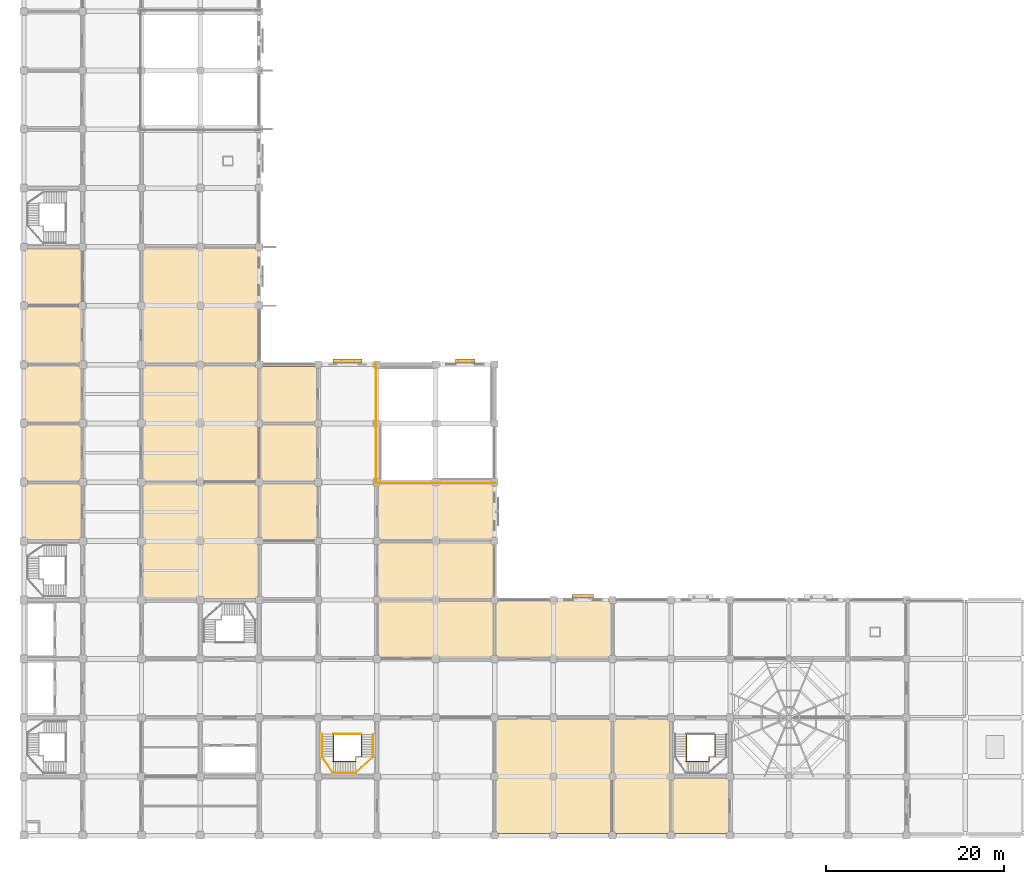
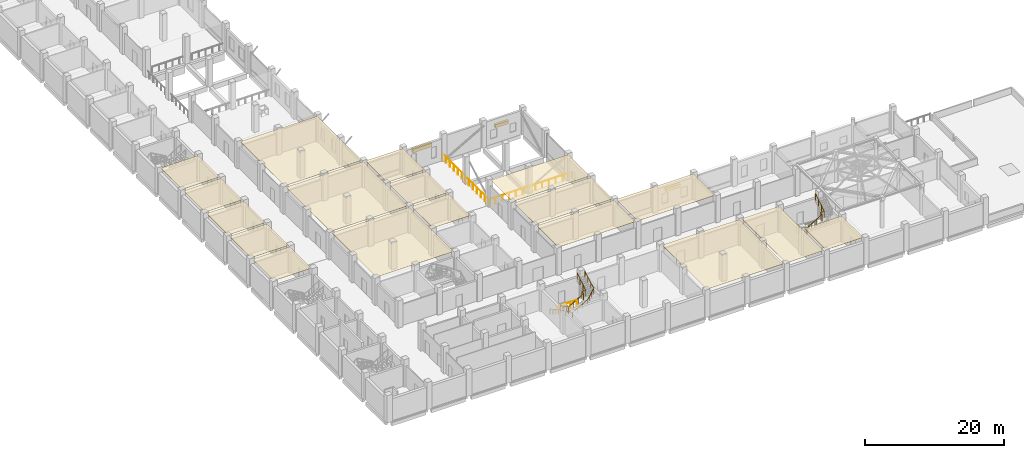
# One storey, part 32 of 34: 18 coverings, 8 railings, 3 shading devices.
"""IFC4 building model written with IfcOpenShell, lengths in metres."""

import ifcopenshell
import ifcopenshell.guid

model = None  # the IFC model being written
_history = None  # IfcOwnerHistory: only IFC2X3 demands one
_inside = {}  # id of a spatial element -> (the spatial element, [elements in it])
_under = {}  # id of a project, library or spatial element -> (it, [spatial elements below it])
_declared = {}  # id of a project -> (the project, [libraries it declares])
_typed = {}  # id of a type object -> (the type object, [elements of that type])
_made_of = {}  # id of a material, layer set ... -> (it, [elements and type objects made of it])


def new_model(schema):
    """Start an empty IFC model of exactly this schema.

    Asked for "IFC4X3", IfcOpenShell would pick the latest addendum, in which some entities
    have other attributes; the version numbers below select the first issue.
    IFC2X3 requires an IfcOwnerHistory on every rooted entity: one is made here for all.
    """
    global model, _history
    if schema == "IFC4X3":
        model = ifcopenshell.file(schema_version=(4, 3, 0, 0))
    else:
        model = ifcopenshell.file(schema=schema)
    _inside.clear()
    _under.clear()
    _declared.clear()
    _typed.clear()
    _made_of.clear()
    _history = None
    if model.schema == "IFC2X3":
        org = make("IfcOrganization", Name="unknown")
        user = make(
            "IfcPersonAndOrganization",
            ThePerson=make("IfcPerson", FamilyName="unknown"),
            TheOrganization=org,
        )
        app = make(
            "IfcApplication",
            ApplicationDeveloper=org,
            Version="unknown",
            ApplicationFullName="unknown",
            ApplicationIdentifier="unknown",
        )
        _history = make(
            "IfcOwnerHistory",
            OwningUser=user,
            OwningApplication=app,
            ChangeAction="ADDED",
            CreationDate=0,
        )
    return model


def make(cls, **values):
    """One entity of the class cls with the attributes given. An attribute that is None is left unset."""
    return model.create_entity(
        cls, **{name: value for name, value in values.items() if value is not None}
    )


def rooted(cls, **values):
    """An entity with a GlobalId (a new one), such as an element, a storey or a relation."""
    return make(cls, GlobalId=ifcopenshell.guid.new(), OwnerHistory=_history, **values)


def si_unit(unit_type, name, prefix=None):
    """IfcSIUnit, for example si_unit("LENGTHUNIT", "METRE", prefix="MILLI")."""
    return make("IfcSIUnit", UnitType=unit_type, Prefix=prefix, Name=name)


def assignment(units):
    """IfcUnitAssignment: the units of a project."""
    return None if units is None else make("IfcUnitAssignment", Units=units)


def point(xyz):
    """IfcCartesianPoint."""
    return None if xyz is None else make("IfcCartesianPoint", Coordinates=xyz)


def direction(xyz):
    """IfcDirection."""
    return None if xyz is None else make("IfcDirection", DirectionRatios=xyz)


def frame(location, z_axis=None, x_axis=None):
    """IfcAxis2Placement3D, a coordinate frame: its origin and axes. An axis left out is left unset."""
    return make(
        "IfcAxis2Placement3D",
        Location=point(location),
        Axis=direction(z_axis),
        RefDirection=direction(x_axis),
    )


def frame_2d(location, x_axis=None):
    """IfcAxis2Placement2D, a coordinate frame in the plane: its origin and x axis."""
    return make(
        "IfcAxis2Placement2D", Location=point(location), RefDirection=direction(x_axis)
    )


def origin():
    """The frame at (0, 0, 0) with its axes left unset."""
    return frame((0.0, 0.0, 0.0))


def origin_2d():
    """The frame at (0, 0) in the plane with its x axis left unset."""
    return frame_2d((0.0, 0.0))


def place(relative_to, where):
    """IfcLocalPlacement: puts the frame where relative to a parent placement (None: the world)."""
    return make(
        "IfcLocalPlacement", PlacementRelTo=relative_to, RelativePlacement=where
    )


def context(
    kind, dimensions, precision=None, world=None, true_north=None, identifier=None
):
    """IfcGeometricRepresentationContext, for example the 3D "Model" context."""
    return make(
        "IfcGeometricRepresentationContext",
        ContextIdentifier=identifier,
        ContextType=kind,
        CoordinateSpaceDimension=dimensions,
        Precision=precision,
        WorldCoordinateSystem=world,
        TrueNorth=true_north,
    )


def subcontext(parent, identifier, kind, view, scale=None):
    """IfcGeometricRepresentationSubContext, for example "Body" below "Model"."""
    return make(
        "IfcGeometricRepresentationSubContext",
        ContextIdentifier=identifier,
        ContextType=kind,
        ParentContext=parent,
        TargetScale=scale,
        TargetView=view,
    )


def project(units=None, contexts=None):
    """IfcProject with its units and contexts."""
    return rooted(
        "IfcProject",
        Name="project",
        RepresentationContexts=contexts,
        UnitsInContext=assignment(units),
    )


def spatial(cls, under=None, at=None, **own):
    """A site, building, storey or space (cls), placed at a placement, below another one or the project."""
    s = rooted(cls, ObjectPlacement=at, **own)
    if under is not None:
        _under.setdefault(under.id(), (under, []))[1].append(s)
    return s


def polyline(points):
    """IfcPolyline through the points."""
    return make("IfcPolyline", Points=[point(p) for p in points])


def profile(cls, at=None, kind="AREA", **sizes):
    """A parametric profile (cls). Its sizes go by their IFC names, for example OverallWidth=200.0."""
    return make(cls, ProfileType=kind, Position=at, **sizes)


def rectangle(**sizes):
    """IfcRectangleProfileDef."""
    return profile("IfcRectangleProfileDef", **sizes)


def circle(**sizes):
    """IfcCircleProfileDef."""
    return profile("IfcCircleProfileDef", **sizes)


def outline(outer, holes=None, kind="AREA"):
    """IfcArbitraryClosedProfileDef: a profile drawn as a closed curve; with holes, ...WithVoids."""
    if holes is None:
        return make("IfcArbitraryClosedProfileDef", ProfileType=kind, OuterCurve=outer)
    return make(
        "IfcArbitraryProfileDefWithVoids",
        ProfileType=kind,
        OuterCurve=outer,
        InnerCurves=holes,
    )


def extrude(swept, where, along, depth):
    """IfcExtrudedAreaSolid: the profile swept, set in the frame where, extruded along a direction by depth."""
    return make(
        "IfcExtrudedAreaSolid",
        SweptArea=swept,
        Position=where,
        ExtrudedDirection=direction(along),
        Depth=depth,
    )


def shape(context_of_items, identifier, shape_type, items):
    """IfcShapeRepresentation: the items that make up one representation, for example the "Body"."""
    return make(
        "IfcShapeRepresentation",
        ContextOfItems=context_of_items,
        RepresentationIdentifier=identifier,
        RepresentationType=shape_type,
        Items=items,
    )


def material(Name=None, Category=None):
    """IfcMaterial."""
    return make("IfcMaterial", Name=Name, Category=Category)


def layer(
    of_material, thickness, ventilated=None, Name=None, Category=None, Priority=None
):
    """IfcMaterialLayer: one layer of a wall or slab, of a material (None: an air gap)."""
    return make(
        "IfcMaterialLayer",
        Material=of_material,
        LayerThickness=thickness,
        IsVentilated=ventilated,
        Name=Name,
        Category=Category,
        Priority=Priority,
    )


def layer_set(layers, Name=None):
    """IfcMaterialLayerSet."""
    return make("IfcMaterialLayerSet", MaterialLayers=layers, LayerSetName=Name)


def made_of(thing, what):
    """Note that an element or type object is made of a material, layer set ...; save() writes the relation."""
    if what is not None:
        _made_of.setdefault(what.id(), (what, []))[1].append(thing)
    return thing


def type_object(cls, material=None, **own):
    """A type object (cls), such as IfcWallType, which elements share."""
    return made_of(rooted(cls, **own), material)


def element(
    cls,
    number,
    at=None,
    inside=None,
    cuts=None,
    type_object=None,
    material=None,
    context=None,
    identifier="Body",
    shape_type=None,
    held_by="IfcProductDefinitionShape",
    body=None,
    shapes=None,
    **own,
):
    """One element of the class cls, such as IfcWall. Its Tag is "e" and its number.

    at: its placement. inside: the storey or other place that contains it. cuts: it is an
    opening in that element (IfcRelVoidsElement). A single representation is given by context,
    identifier, shape_type and body (its items); several are given by shapes. held_by: the class
    of the entity that holds the representations. save() writes the other relations.
    """
    e = rooted(cls, Tag="e%d" % number, ObjectPlacement=at, **own)
    if body is not None:
        shapes = [shape(context, identifier, shape_type, body)]
    if shapes is not None:
        e.Representation = make(held_by, Representations=shapes)
    if inside is not None:
        _inside.setdefault(inside.id(), (inside, []))[1].append(e)
    if cuts is not None:
        rooted(
            "IfcRelVoidsElement", RelatingBuildingElement=cuts, RelatedOpeningElement=e
        )
    if type_object is not None:
        _typed.setdefault(type_object.id(), (type_object, []))[1].append(e)
    return made_of(e, material)


def aggregate(whole, parts):
    """IfcRelAggregates: a whole, such as a stair, and the parts it consists of."""
    return rooted("IfcRelAggregates", RelatingObject=whole, RelatedObjects=parts)


def save(model, path):
    """Write the relations noted so far, then the file.

    IfcRelAggregates (storeys below a building ...), IfcRelContainedInSpatialStructure (elements
    in a storey), IfcRelDefinesByType, IfcRelAssociatesMaterial and IfcRelDeclares: one each for
    every whole, place, type object, material and project.
    """
    for whole, parts in _under.values():
        aggregate(whole, parts)
    for where, things in _inside.values():
        rooted(
            "IfcRelContainedInSpatialStructure",
            RelatedElements=things,
            RelatingStructure=where,
        )
    for kind, things in _typed.values():
        rooted("IfcRelDefinesByType", RelatedObjects=things, RelatingType=kind)
    for what, things in _made_of.values():
        rooted("IfcRelAssociatesMaterial", RelatedObjects=things, RelatingMaterial=what)
    for by, libraries in _declared.values():
        rooted("IfcRelDeclares", RelatingContext=by, RelatedDefinitions=libraries)
    model.write(path)


model = new_model("IFC4")

# Units and contexts
model_context = context("Model", 3, precision=1e-05, world=origin(), true_north=direction((0.0, 1.0)))
body_context = subcontext(model_context, "Body", "Model", "MODEL_VIEW")
ifc_project = project(units=[si_unit("LENGTHUNIT", "METRE"), si_unit("AREAUNIT", "SQUARE_METRE"), si_unit("VOLUMEUNIT", "CUBIC_METRE"), si_unit("PLANEANGLEUNIT", "RADIAN"), si_unit("MASSUNIT", "GRAM", prefix="KILO")], contexts=[model_context])

# Site, building, storey
site_placement = place(None, origin())
site = spatial("IfcSite", under=ifc_project, at=site_placement, CompositionType="ELEMENT")
building_placement = place(site_placement, origin())
building = spatial("IfcBuilding", under=site, at=building_placement, Name="Rusizi Kubbe Research Institute", CompositionType="ELEMENT")
storey_placement = place(building_placement, frame((0.0, 0.0, 5.39990234375)))
storey = spatial("IfcBuildingStorey", under=building, at=storey_placement, Name="L01", CompositionType="ELEMENT", Elevation=5.39990234375)

# Coverings
ifc_material_1 = material(Name="Mineral-Fibre Acoustic Laboratory Ceiling", Category="masonry")
ifc_layer_1 = layer(ifc_material_1, 0.0400390625)
ifc_layer_set_1 = layer_set([ifc_layer_1], Name="Mineral-Fibre Acoustic Laboratory Ceiling")
covering_type_1 = type_object("IfcCoveringType", Name="CL-ACOUSTIC", PredefinedType="CEILING", material=ifc_layer_set_1)
covering_1_placement = place(storey_placement, frame((0.0, 0.0, 4.41015625)))
element("IfcCovering", 1, at=covering_1_placement, inside=storey, type_object=covering_type_1, Name="Service Spine Autoclave Room Ceiling L01-WSP-06", PredefinedType="CEILING", context=body_context, shape_type="SweptSolid", body=[
    extrude(outline(polyline([(0.18994140625, 39.7900390625), (6.409912109375, 39.7900390625), (6.409912109375, 46.010009765625), (0.18994140625, 46.010009765625), (0.18994140625, 39.7900390625)])), origin(), (0.0, 0.0, 1.0), 0.0400390625),
])
covering_2_placement = place(storey_placement, frame((0.0, 0.0, 4.41015625)))
element("IfcCovering", 2, at=covering_2_placement, inside=storey, type_object=covering_type_1, Name="Service Spine Autoclave Room Ceiling L01-WSP-08", PredefinedType="CEILING", context=body_context, shape_type="SweptSolid", body=[
    extrude(outline(polyline([(0.18994140625, 52.989990234375), (6.409912109375, 52.989990234375), (6.409912109375, 59.2099609375), (0.18994140625, 59.2099609375), (0.18994140625, 52.989990234375)])), origin(), (0.0, 0.0, 1.0), 0.0400390625),
])
covering_3_placement = place(storey_placement, frame((0.0, 0.0, 4.41015625)))
element("IfcCovering", 3, at=covering_3_placement, inside=storey, type_object=covering_type_1, Name="Write-up Office Ceiling L01-ELBW-05", PredefinedType="CEILING", context=body_context, shape_type="SweptSolid", body=[
    extrude(outline(polyline([(26.590087890625, 33.18994140625), (32.81005859375, 33.18994140625), (32.81005859375, 39.409912109375), (26.590087890625, 39.409912109375), (26.590087890625, 33.18994140625)])), origin(), (0.0, 0.0, 1.0), 0.0400390625),
])
covering_4_placement = place(storey_placement, frame((0.0, 0.0, 4.41015625)))
element("IfcCovering", 4, at=covering_4_placement, inside=storey, type_object=covering_type_1, Name="Write-up Office Ceiling L01-ELBW-06", PredefinedType="CEILING", context=body_context, shape_type="SweptSolid", body=[
    extrude(outline(polyline([(26.590087890625, 39.7900390625), (32.81005859375, 39.7900390625), (32.81005859375, 46.010009765625), (26.590087890625, 46.010009765625), (26.590087890625, 39.7900390625)])), origin(), (0.0, 0.0, 1.0), 0.0400390625),
])
covering_5_placement = place(storey_placement, frame((0.0, 0.0, 4.41015625)))
element("IfcCovering", 5, at=covering_5_placement, inside=storey, type_object=covering_type_1, Name="Write-up Office Ceiling L01-ELBW-07", PredefinedType="CEILING", context=body_context, shape_type="SweptSolid", body=[
    extrude(outline(polyline([(26.590087890625, 46.389892578125), (32.81005859375, 46.389892578125), (32.81005859375, 52.610107421875), (26.590087890625, 52.610107421875), (26.590087890625, 46.389892578125)])), origin(), (0.0, 0.0, 1.0), 0.0400390625),
])
covering_6_placement = place(storey_placement, frame((0.0, 0.0, 4.41015625)))
element("IfcCovering", 6, at=covering_6_placement, inside=storey, type_object=covering_type_1, Name="Write-up Office Ceiling L01-ELBE-03", PredefinedType="CEILING", context=body_context, shape_type="SweptSolid", body=[
    extrude(outline(polyline([(39.7900390625, 19.989990234375), (52.610107421875, 19.989990234375), (52.610107421875, 26.2099609375), (39.7900390625, 26.2099609375), (39.7900390625, 19.989990234375)])), origin(), (0.0, 0.0, 1.0), 0.0400390625),
])
covering_7_placement = place(storey_placement, frame((0.0, 0.0, 4.41015625)))
element("IfcCovering", 7, at=covering_7_placement, inside=storey, type_object=covering_type_1, Name="Write-up Office Ceiling L01-ELBE-04", PredefinedType="CEILING", context=body_context, shape_type="SweptSolid", body=[
    extrude(outline(polyline([(39.7900390625, 26.590087890625), (52.610107421875, 26.590087890625), (52.610107421875, 32.81005859375), (39.7900390625, 32.81005859375), (39.7900390625, 26.590087890625)])), origin(), (0.0, 0.0, 1.0), 0.0400390625),
])
covering_8_placement = place(storey_placement, frame((0.0, 0.0, 4.41015625)))
element("IfcCovering", 8, at=covering_8_placement, inside=storey, type_object=covering_type_1, Name="Write-up Office Ceiling L01-ELBE-05", PredefinedType="CEILING", context=body_context, shape_type="SweptSolid", body=[
    extrude(outline(polyline([(39.7900390625, 33.18994140625), (52.610107421875, 33.18994140625), (52.610107421875, 39.409912109375), (39.7900390625, 39.409912109375), (39.7900390625, 33.18994140625)])), origin(), (0.0, 0.0, 1.0), 0.0400390625),
])
covering_9_placement = place(storey_placement, frame((0.0, 0.0, 4.41015625)))
element("IfcCovering", 9, at=covering_9_placement, inside=storey, type_object=covering_type_1, Name="Seminar Room Ceiling L01-NW-02", PredefinedType="CEILING", context=body_context, shape_type="SweptSolid", body=[
    extrude(outline(polyline([(13.389892578125, 26.590087890625), (26.2099609375, 26.590087890625), (26.2099609375, 39.409912109375), (13.389892578125, 39.409912109375), (13.389892578125, 26.590087890625)])), origin(), (0.0, 0.0, 1.0), 0.0400390625),
])
covering_10_placement = place(storey_placement, frame((0.0, 0.0, 4.41015625)))
element("IfcCovering", 10, at=covering_10_placement, inside=storey, type_object=covering_type_1, Name="Computational Dry Laboratory Ceiling L01-NW-03", PredefinedType="CEILING", context=body_context, shape_type="SweptSolid", body=[
    extrude(outline(polyline([(13.389892578125, 39.7900390625), (26.2099609375, 39.7900390625), (26.2099609375, 52.610107421875), (13.389892578125, 52.610107421875), (13.389892578125, 39.7900390625)])), origin(), (0.0, 0.0, 1.0), 0.0400390625),
])
covering_11_placement = place(storey_placement, frame((0.0, 0.0, 4.41015625)))
element("IfcCovering", 11, at=covering_11_placement, inside=storey, type_object=covering_type_1, Name="Write-up Office Ceiling L01-NW-04", PredefinedType="CEILING", context=body_context, shape_type="SweptSolid", body=[
    extrude(outline(polyline([(13.389892578125, 52.989990234375), (26.2099609375, 52.989990234375), (26.2099609375, 65.81005859375), (13.389892578125, 65.81005859375), (13.389892578125, 52.989990234375)])), origin(), (0.0, 0.0, 1.0), 0.0400390625),
])
covering_12_placement = place(storey_placement, frame((0.0, 0.0, 4.41015625)))
element("IfcCovering", 12, at=covering_12_placement, inside=storey, type_object=covering_type_1, Name="Catalysis Wet Laboratory Ceiling L01-EWS-04", PredefinedType="CEILING", context=body_context, shape_type="SweptSolid", body=[
    extrude(outline(polyline([(66.18994140625, 0.18994140625), (72.409912109375, 0.18994140625), (72.409912109375, 13.010009765625), (66.18994140625, 13.010009765625), (66.18994140625, 0.18994140625)])), origin(), (0.0, 0.0, 1.0), 0.0400390625),
])
covering_13_placement = place(storey_placement, frame((0.0, 0.0, 4.41015625)))
element("IfcCovering", 13, at=covering_13_placement, inside=storey, type_object=covering_type_1, Name="Laboratory Instrument Support Room Ceiling L01-EWU-11", PredefinedType="CEILING", context=body_context, shape_type="SweptSolid", body=[
    extrude(outline(polyline([(72.7900390625, 0.18994140625), (79.010009765625, 0.18994140625), (79.010009765625, 6.409912109375), (72.7900390625, 6.409912109375), (72.7900390625, 0.18994140625)])), origin(), (0.0, 0.0, 1.0), 0.0400390625),
])
covering_14_placement = place(storey_placement, frame((0.0, 0.0, 4.41015625)))
element("IfcCovering", 14, at=covering_14_placement, inside=storey, type_object=covering_type_1, Name="Molecular Diagnostics Laboratory Ceiling L01-EWN-01", PredefinedType="CEILING", context=body_context, shape_type="SweptSolid", body=[
    extrude(outline(polyline([(52.989990234375, 19.989990234375), (65.81005859375, 19.989990234375), (65.81005859375, 26.2099609375), (52.989990234375, 26.2099609375), (52.989990234375, 19.989990234375)])), origin(), (0.0, 0.0, 1.0), 0.0400390625),
])
ifc_material_2 = material(Name="Flush Cleanroom Aluminium HEPA Ceiling Grid", Category="aluminium")
ifc_layer_2 = layer(ifc_material_2, 0.044921875)
ifc_layer_set_2 = layer_set([ifc_layer_2], Name="Flush Cleanroom Aluminium HEPA Ceiling Grid")
covering_type_2 = type_object("IfcCoveringType", Name="CL-HEPA", PredefinedType="CEILING", material=ifc_layer_set_2)
covering_15_placement = place(storey_placement, frame((0.0, 0.0, 4.405029296875)))
element("IfcCovering", 15, at=covering_15_placement, inside=storey, type_object=covering_type_2, Name="Clean Room Metrology Laboratory Ceiling L01-WSP-05", PredefinedType="CEILING", context=body_context, shape_type="SweptSolid", body=[
    extrude(outline(polyline([(0.18994140625, 33.18994140625), (6.409912109375, 33.18994140625), (6.409912109375, 39.409912109375), (0.18994140625, 39.409912109375), (0.18994140625, 33.18994140625)])), origin(), (0.0, 0.0, 1.0), 0.045166015625),
])
covering_16_placement = place(storey_placement, frame((0.0, 0.0, 4.405029296875)))
element("IfcCovering", 16, at=covering_16_placement, inside=storey, type_object=covering_type_2, Name="Clean Room Metrology Laboratory Ceiling L01-WSP-07", PredefinedType="CEILING", context=body_context, shape_type="SweptSolid", body=[
    extrude(outline(polyline([(0.18994140625, 46.389892578125), (6.409912109375, 46.389892578125), (6.409912109375, 52.610107421875), (0.18994140625, 52.610107421875), (0.18994140625, 46.389892578125)])), origin(), (0.0, 0.0, 1.0), 0.045166015625),
])
covering_17_placement = place(storey_placement, frame((0.0, 0.0, 4.405029296875)))
element("IfcCovering", 17, at=covering_17_placement, inside=storey, type_object=covering_type_2, Name="Clean Room Metrology Laboratory Ceiling L01-WSP-09", PredefinedType="CEILING", context=body_context, shape_type="SweptSolid", body=[
    extrude(outline(polyline([(0.18994140625, 59.590087890625), (6.409912109375, 59.590087890625), (6.409912109375, 65.81005859375), (0.18994140625, 65.81005859375), (0.18994140625, 59.590087890625)])), origin(), (0.0, 0.0, 1.0), 0.045166015625),
])
covering_18_placement = place(storey_placement, frame((0.0, 0.0, 4.405029296875)))
element("IfcCovering", 18, at=covering_18_placement, inside=storey, type_object=covering_type_2, Name="Clean Room Process Suite Ceiling L01-EWS-03", PredefinedType="CEILING", context=body_context, shape_type="SweptSolid", body=[
    extrude(outline(polyline([(52.989990234375, 0.18994140625), (65.81005859375, 0.18994140625), (65.81005859375, 13.010009765625), (52.989990234375, 13.010009765625), (52.989990234375, 0.18994140625)])), origin(), (0.0, 0.0, 1.0), 0.045166015625),
])

# Railings
ifc_material_3 = material(Name="Painted Steel Stair Guard", Category="steel")
railing_type_1 = type_object("IfcRailingType", Name="GR-STAIR", PredefinedType="GUARDRAIL", material=ifc_material_3)
railing_1_placement = place(storey_placement, frame((34.7099609375, 11.3798828125, 0.080078125)))
element("IfcRailing", 19, at=railing_1_placement, inside=storey, type_object=railing_type_1, Name="Stair Inner Well Guard ST4 L01", PredefinedType="GUARDRAIL", context=body_context, shape_type="SweptSolid", body=[
    extrude(circle(Radius=0.02392578125, at=origin_2d()), frame((0.0, 0.0, 1.09619140625), z_axis=(0.0, -0.859835618312, 0.510570964198), x_axis=(1.0, 0.0, 0.0)), (0.0, 0.0, 1.0), 2.97705078125),
    extrude(circle(Radius=0.02392578125, at=origin_2d()), frame((0.0, -2.559814453125, 2.6162109375), z_axis=(0.0, -1.0, 0.0), x_axis=(1.0, 0.0, 0.0)), (0.0, 0.0, 1.0), 0.510009765625),
    extrude(circle(Radius=0.02392578125, at=origin_2d()), frame((0.0, -3.06982421875, 2.6162109375), z_axis=(-0.4472135955, 0.0, 0.894427191), x_axis=(0.0, -1.0, 0.0)), (0.0, 0.0, 1.0), 0.089599609375),
    extrude(circle(Radius=0.02392578125, at=origin_2d()), frame((-0.0400390625, -3.06982421875, 2.6962890625), z_axis=(0.856290143798, 0.0, 0.516495101268), x_axis=(0.0, 1.0, 0.0)), (0.0, 0.0, 1.0), 2.94287109375),
    extrude(circle(Radius=0.02392578125, at=origin_2d()), frame((2.47998046875, -3.06982421875, 4.21630859375), z_axis=(1.0, 0.0, 0.0), x_axis=(0.0, 1.0, 0.0)), (0.0, 0.0, 1.0), 0.0400390625),
    extrude(circle(Radius=0.02392578125, at=origin_2d()), frame((2.52001953125, -3.06982421875, 4.21630859375), z_axis=(0.0, 1.0, 0.0), x_axis=(-1.0, 0.0, 0.0)), (0.0, 0.0, 1.0), 0.510009765625),
    extrude(circle(Radius=0.02392578125, at=origin_2d()), frame((2.52001953125, -2.559814453125, 4.21630859375), z_axis=(1.0, 0.0, 0.0), x_axis=(0.0, 1.0, 0.0)), (0.0, 0.0, 1.0), 0.659912109375),
    extrude(circle(Radius=0.02392578125, at=origin_2d()), frame((3.179931640625, -2.559814453125, 4.21630859375), z_axis=(0.0, 0.840317313588, 0.542094837167), x_axis=(-1.0, 0.0, 0.0)), (0.0, 0.0, 1.0), 2.951171875),
    extrude(circle(Radius=0.02099609375, at=origin_2d()), origin(), (0.0, 0.0, 1.0), 1.072021484375),
    extrude(circle(Radius=0.02099609375, at=origin_2d()), frame((0.0, -0.853271484375, 0.506591796875)), (0.0, 0.0, 1.0), 1.072021484375),
    extrude(circle(Radius=0.02099609375, at=origin_2d()), frame((0.0, -1.70654296875, 1.013427734375)), (0.0, 0.0, 1.0), 1.072021484375),
    extrude(circle(Radius=0.02099609375, at=origin_2d()), frame((0.0, -2.559814453125, 1.52001953125)), (0.0, 0.0, 1.0), 1.072021484375),
    extrude(circle(Radius=0.02099609375, at=origin_2d()), frame((0.0, -3.06982421875, 1.52001953125)), (0.0, 0.0, 1.0), 1.072021484375),
    extrude(circle(Radius=0.02099609375, at=origin_2d()), frame((-0.0400390625, -3.06982421875, 1.60009765625)), (0.0, 0.0, 1.0), 1.072021484375),
    extrude(circle(Radius=0.02099609375, at=origin_2d()), frame((0.800048828125, -3.06982421875, 2.106689453125)), (0.0, 0.0, 1.0), 1.072021484375),
    extrude(circle(Radius=0.02099609375, at=origin_2d()), frame((1.639892578125, -3.06982421875, 2.613525390625)), (0.0, 0.0, 1.0), 1.072021484375),
    extrude(circle(Radius=0.02099609375, at=origin_2d()), frame((2.47998046875, -3.06982421875, 3.1201171875)), (0.0, 0.0, 1.0), 1.072021484375),
    extrude(circle(Radius=0.02099609375, at=origin_2d()), frame((2.52001953125, -3.06982421875, 3.1201171875)), (0.0, 0.0, 1.0), 1.072021484375),
    extrude(circle(Radius=0.02099609375, at=origin_2d()), frame((2.52001953125, -2.559814453125, 3.1201171875)), (0.0, 0.0, 1.0), 1.072021484375),
    extrude(circle(Radius=0.02099609375, at=origin_2d()), frame((3.179931640625, -2.559814453125, 3.1201171875)), (0.0, 0.0, 1.0), 1.072021484375),
    extrude(circle(Radius=0.02099609375, at=origin_2d()), frame((3.179931640625, -1.733154296875, 3.6533203125)), (0.0, 0.0, 1.0), 1.072021484375),
    extrude(circle(Radius=0.02099609375, at=origin_2d()), frame((3.179931640625, -0.906494140625, 4.186767578125)), (0.0, 0.0, 1.0), 1.072021484375),
    extrude(circle(Radius=0.02099609375, at=origin_2d()), frame((3.179931640625, -0.079833984375, 4.719970703125)), (0.0, 0.0, 1.0), 1.072021484375),
])
railing_2_placement = place(storey_placement, frame((34.7099609375, 11.35009765625, 0.0)))
element("IfcRailing", 20, at=railing_2_placement, inside=storey, type_object=railing_type_1, Name="Stair Floor Edge Guard ST4 L01", PredefinedType="GUARDRAIL", context=body_context, shape_type="SweptSolid", body=[
    extrude(circle(Radius=0.02392578125, at=origin_2d()), frame((0.0, 0.0, 1.09619140625), z_axis=(1.0, 0.0, 0.0), x_axis=(0.0, 1.0, 0.0)), (0.0, 0.0, 1.0), 3.179931640625),
    extrude(circle(Radius=0.02099609375, at=origin_2d()), origin(), (0.0, 0.0, 1.0), 1.072021484375),
    extrude(circle(Radius=0.02099609375, at=origin_2d()), frame((1.06005859375, 0.0, 0.0)), (0.0, 0.0, 1.0), 1.072021484375),
    extrude(circle(Radius=0.02099609375, at=origin_2d()), frame((2.119873046875, 0.0, 0.0)), (0.0, 0.0, 1.0), 1.072021484375),
    extrude(circle(Radius=0.02099609375, at=origin_2d()), frame((3.179931640625, 0.0, 0.0)), (0.0, 0.0, 1.0), 1.072021484375),
])
railing_3_placement = place(storey_placement, frame((74.31005859375, 11.3798828125, 0.080078125)))
element("IfcRailing", 21, at=railing_3_placement, inside=storey, type_object=railing_type_1, Name="Stair Inner Well Guard ST7 L01", PredefinedType="GUARDRAIL", context=body_context, shape_type="SweptSolid", body=[
    extrude(circle(Radius=0.02392578125, at=origin_2d()), frame((0.0, 0.0, 1.09619140625), z_axis=(0.0, -0.859835618312, 0.510570964198), x_axis=(1.0, 0.0, 0.0)), (0.0, 0.0, 1.0), 2.97705078125),
    extrude(circle(Radius=0.02392578125, at=origin_2d()), frame((0.0, -2.559814453125, 2.6162109375), z_axis=(0.0, -1.0, 0.0), x_axis=(1.0, 0.0, 0.0)), (0.0, 0.0, 1.0), 0.510009765625),
    extrude(circle(Radius=0.02392578125, at=origin_2d()), frame((0.0, -3.06982421875, 2.6162109375), z_axis=(-0.4472135955, 0.0, 0.894427191), x_axis=(0.0, -1.0, 0.0)), (0.0, 0.0, 1.0), 0.089599609375),
    extrude(circle(Radius=0.02392578125, at=origin_2d()), frame((-0.0400390625, -3.06982421875, 2.6962890625), z_axis=(0.856290143798, 0.0, 0.516495101268), x_axis=(0.0, 1.0, 0.0)), (0.0, 0.0, 1.0), 2.94287109375),
    extrude(circle(Radius=0.02392578125, at=origin_2d()), frame((2.47998046875, -3.06982421875, 4.21630859375), z_axis=(1.0, 0.0, 0.0), x_axis=(0.0, 1.0, 0.0)), (0.0, 0.0, 1.0), 0.0400390625),
    extrude(circle(Radius=0.02392578125, at=origin_2d()), frame((2.52001953125, -3.06982421875, 4.21630859375), z_axis=(0.0, 1.0, 0.0), x_axis=(-1.0, 0.0, 0.0)), (0.0, 0.0, 1.0), 0.510009765625),
    extrude(circle(Radius=0.02392578125, at=origin_2d()), frame((2.52001953125, -2.559814453125, 4.21630859375), z_axis=(1.0, 0.0, 0.0), x_axis=(0.0, 1.0, 0.0)), (0.0, 0.0, 1.0), 0.659912109375),
    extrude(circle(Radius=0.02392578125, at=origin_2d()), frame((3.179931640625, -2.559814453125, 4.21630859375), z_axis=(0.0, 0.840317313588, 0.542094837167), x_axis=(-1.0, 0.0, 0.0)), (0.0, 0.0, 1.0), 2.951171875),
    extrude(circle(Radius=0.02099609375, at=origin_2d()), origin(), (0.0, 0.0, 1.0), 1.072021484375),
    extrude(circle(Radius=0.02099609375, at=origin_2d()), frame((0.0, -0.853271484375, 0.506591796875)), (0.0, 0.0, 1.0), 1.072021484375),
    extrude(circle(Radius=0.02099609375, at=origin_2d()), frame((0.0, -1.70654296875, 1.013427734375)), (0.0, 0.0, 1.0), 1.072021484375),
    extrude(circle(Radius=0.02099609375, at=origin_2d()), frame((0.0, -2.559814453125, 1.52001953125)), (0.0, 0.0, 1.0), 1.072021484375),
    extrude(circle(Radius=0.02099609375, at=origin_2d()), frame((0.0, -3.06982421875, 1.52001953125)), (0.0, 0.0, 1.0), 1.072021484375),
    extrude(circle(Radius=0.02099609375, at=origin_2d()), frame((-0.0400390625, -3.06982421875, 1.60009765625)), (0.0, 0.0, 1.0), 1.072021484375),
    extrude(circle(Radius=0.02099609375, at=origin_2d()), frame((0.800048828125, -3.06982421875, 2.106689453125)), (0.0, 0.0, 1.0), 1.072021484375),
    extrude(circle(Radius=0.02099609375, at=origin_2d()), frame((1.639892578125, -3.06982421875, 2.613525390625)), (0.0, 0.0, 1.0), 1.072021484375),
    extrude(circle(Radius=0.02099609375, at=origin_2d()), frame((2.47998046875, -3.06982421875, 3.1201171875)), (0.0, 0.0, 1.0), 1.072021484375),
    extrude(circle(Radius=0.02099609375, at=origin_2d()), frame((2.52001953125, -3.06982421875, 3.1201171875)), (0.0, 0.0, 1.0), 1.072021484375),
    extrude(circle(Radius=0.02099609375, at=origin_2d()), frame((2.52001953125, -2.559814453125, 3.1201171875)), (0.0, 0.0, 1.0), 1.072021484375),
    extrude(circle(Radius=0.02099609375, at=origin_2d()), frame((3.179931640625, -2.559814453125, 3.1201171875)), (0.0, 0.0, 1.0), 1.072021484375),
    extrude(circle(Radius=0.02099609375, at=origin_2d()), frame((3.179931640625, -1.733154296875, 3.6533203125)), (0.0, 0.0, 1.0), 1.072021484375),
    extrude(circle(Radius=0.02099609375, at=origin_2d()), frame((3.179931640625, -0.906494140625, 4.186767578125)), (0.0, 0.0, 1.0), 1.072021484375),
    extrude(circle(Radius=0.02099609375, at=origin_2d()), frame((3.179931640625, -0.079833984375, 4.719970703125)), (0.0, 0.0, 1.0), 1.072021484375),
])
ifc_material_4 = material(Name="Tempered Glass and Bronze Atrium Balustrade", Category="steel")
railing_type_2 = type_object("IfcRailingType", Name="GR-VOID", PredefinedType="BALUSTRADE", material=ifc_material_4)
railing_4_placement = place(storey_placement, frame((39.5, 39.5, 0.0)))
element("IfcRailing", 22, at=railing_4_placement, inside=storey, type_object=railing_type_2, Name="Atrium Void Balustrade L01-07", PredefinedType="BALUSTRADE", context=body_context, shape_type="SweptSolid", body=[
    extrude(circle(Radius=0.02392578125, at=origin_2d()), frame((0.0, 0.0, 1.09619140625), z_axis=(1.0, 0.0, 0.0), x_axis=(0.0, 1.0, 0.0)), (0.0, 0.0, 1.0), 6.800048828125),
    extrude(circle(Radius=0.02099609375, at=origin_2d()), origin(), (0.0, 0.0, 1.0), 1.072021484375),
    extrude(circle(Radius=0.02099609375, at=origin_2d()), frame((1.13330078125, 0.0, 0.0)), (0.0, 0.0, 1.0), 1.072021484375),
    extrude(circle(Radius=0.02099609375, at=origin_2d()), frame((2.2666015625, 0.0, 0.0)), (0.0, 0.0, 1.0), 1.072021484375),
    extrude(circle(Radius=0.02099609375, at=origin_2d()), frame((3.39990234375, 0.0, 0.0)), (0.0, 0.0, 1.0), 1.072021484375),
    extrude(circle(Radius=0.02099609375, at=origin_2d()), frame((4.533447265625, 0.0, 0.0)), (0.0, 0.0, 1.0), 1.072021484375),
    extrude(circle(Radius=0.02099609375, at=origin_2d()), frame((5.666748046875, 0.0, 0.0)), (0.0, 0.0, 1.0), 1.072021484375),
    extrude(circle(Radius=0.02099609375, at=origin_2d()), frame((6.800048828125, 0.0, 0.0)), (0.0, 0.0, 1.0), 1.072021484375),
])
railing_5_placement = place(storey_placement, frame((39.5, 39.5, 0.0)))
element("IfcRailing", 23, at=railing_5_placement, inside=storey, type_object=railing_type_2, Name="Atrium Void Balustrade L01-08", PredefinedType="BALUSTRADE", context=body_context, shape_type="SweptSolid", body=[
    extrude(circle(Radius=0.02392578125, at=origin_2d()), frame((0.0, 0.0, 1.09619140625), z_axis=(0.0, 1.0, 0.0), x_axis=(-1.0, 0.0, 0.0)), (0.0, 0.0, 1.0), 6.800048828125),
    extrude(circle(Radius=0.02099609375, at=origin_2d()), origin(), (0.0, 0.0, 1.0), 1.072021484375),
    extrude(circle(Radius=0.02099609375, at=origin_2d()), frame((0.0, 1.13330078125, 0.0)), (0.0, 0.0, 1.0), 1.072021484375),
    extrude(circle(Radius=0.02099609375, at=origin_2d()), frame((0.0, 2.2666015625, 0.0)), (0.0, 0.0, 1.0), 1.072021484375),
    extrude(circle(Radius=0.02099609375, at=origin_2d()), frame((0.0, 3.39990234375, 0.0)), (0.0, 0.0, 1.0), 1.072021484375),
    extrude(circle(Radius=0.02099609375, at=origin_2d()), frame((0.0, 4.533447265625, 0.0)), (0.0, 0.0, 1.0), 1.072021484375),
    extrude(circle(Radius=0.02099609375, at=origin_2d()), frame((0.0, 5.666748046875, 0.0)), (0.0, 0.0, 1.0), 1.072021484375),
    extrude(circle(Radius=0.02099609375, at=origin_2d()), frame((0.0, 6.800048828125, 0.0)), (0.0, 0.0, 1.0), 1.072021484375),
])
railing_6_placement = place(storey_placement, frame((39.5, 46.10009765625, 0.0)))
element("IfcRailing", 24, at=railing_6_placement, inside=storey, type_object=railing_type_2, Name="Atrium Void Balustrade L01-09", PredefinedType="BALUSTRADE", context=body_context, shape_type="SweptSolid", body=[
    extrude(circle(Radius=0.02392578125, at=origin_2d()), frame((0.0, 0.0, 1.09619140625), z_axis=(0.0, 1.0, 0.0), x_axis=(-1.0, 0.0, 0.0)), (0.0, 0.0, 1.0), 6.7998046875),
    extrude(circle(Radius=0.02099609375, at=origin_2d()), origin(), (0.0, 0.0, 1.0), 1.072021484375),
    extrude(circle(Radius=0.02099609375, at=origin_2d()), frame((0.0, 1.13330078125, 0.0)), (0.0, 0.0, 1.0), 1.072021484375),
    extrude(circle(Radius=0.02099609375, at=origin_2d()), frame((0.0, 2.2666015625, 0.0)), (0.0, 0.0, 1.0), 1.072021484375),
    extrude(circle(Radius=0.02099609375, at=origin_2d()), frame((0.0, 3.39990234375, 0.0)), (0.0, 0.0, 1.0), 1.072021484375),
    extrude(circle(Radius=0.02099609375, at=origin_2d()), frame((0.0, 4.533203125, 0.0)), (0.0, 0.0, 1.0), 1.072021484375),
    extrude(circle(Radius=0.02099609375, at=origin_2d()), frame((0.0, 5.66650390625, 0.0)), (0.0, 0.0, 1.0), 1.072021484375),
    extrude(circle(Radius=0.02099609375, at=origin_2d()), frame((0.0, 6.7998046875, 0.0)), (0.0, 0.0, 1.0), 1.072021484375),
])
railing_7_placement = place(storey_placement, frame((46.10009765625, 39.5, 0.0)))
element("IfcRailing", 25, at=railing_7_placement, inside=storey, type_object=railing_type_2, Name="Atrium Void Balustrade L01-10", PredefinedType="BALUSTRADE", context=body_context, shape_type="SweptSolid", body=[
    extrude(circle(Radius=0.02392578125, at=origin_2d()), frame((0.0, 0.0, 1.09619140625), z_axis=(1.0, 0.0, 0.0), x_axis=(0.0, 1.0, 0.0)), (0.0, 0.0, 1.0), 6.7998046875),
    extrude(circle(Radius=0.02099609375, at=origin_2d()), origin(), (0.0, 0.0, 1.0), 1.072021484375),
    extrude(circle(Radius=0.02099609375, at=origin_2d()), frame((1.13330078125, 0.0, 0.0)), (0.0, 0.0, 1.0), 1.072021484375),
    extrude(circle(Radius=0.02099609375, at=origin_2d()), frame((2.2666015625, 0.0, 0.0)), (0.0, 0.0, 1.0), 1.072021484375),
    extrude(circle(Radius=0.02099609375, at=origin_2d()), frame((3.39990234375, 0.0, 0.0)), (0.0, 0.0, 1.0), 1.072021484375),
    extrude(circle(Radius=0.02099609375, at=origin_2d()), frame((4.533203125, 0.0, 0.0)), (0.0, 0.0, 1.0), 1.072021484375),
    extrude(circle(Radius=0.02099609375, at=origin_2d()), frame((5.66650390625, 0.0, 0.0)), (0.0, 0.0, 1.0), 1.072021484375),
    extrude(circle(Radius=0.02099609375, at=origin_2d()), frame((6.7998046875, 0.0, 0.0)), (0.0, 0.0, 1.0), 1.072021484375),
])
ifc_material_5 = material(Name="Brushed Stainless Steel Handrail", Category="steel")
railing_type_3 = type_object("IfcRailingType", Name="HR-STAIR", PredefinedType="HANDRAIL", material=ifc_material_5)
railing_8_placement = place(storey_placement, frame((33.419921875, 11.3798828125, 0.16015625)))
element("IfcRailing", 26, at=railing_8_placement, inside=storey, type_object=railing_type_3, Name="Stair Wall Handrail ST4 L01", PredefinedType="HANDRAIL", context=body_context, shape_type="SweptSolid", body=[
    extrude(circle(Radius=0.02392578125, at=origin_2d()), frame((0.0, 0.0, 0.8759765625), z_axis=(0.0, -0.868232788344, 0.496157057034), x_axis=(1.0, 0.0, 0.0)), (0.0, 0.0, 1.0), 2.902099609375),
    extrude(circle(Radius=0.02392578125, at=origin_2d()), frame((0.0, -2.519775390625, 2.31591796875), z_axis=(0.560476394894, -0.825060661781, 0.07170157005), x_axis=(0.82718974062, 0.561922710889, 0.0)), (0.0, 0.0, 1.0), 2.230224609375),
    extrude(circle(Radius=0.02392578125, at=origin_2d()), frame((1.25, -4.35986328125, 2.4755859375), z_axis=(0.868217259934, 0.0, 0.496184229447), x_axis=(0.0, 1.0, 0.0)), (0.0, 0.0, 1.0), 2.902587890625),
    extrude(circle(Radius=0.02392578125, at=origin_2d()), frame((3.77001953125, -4.35986328125, 3.916015625), z_axis=(0.746623585802, 0.662535688395, 0.059997355993), x_axis=(-0.663731376575, 0.747971028683, 0.0)), (0.0, 0.0, 1.0), 2.665283203125),
    extrude(circle(Radius=0.02392578125, at=origin_2d()), frame((5.760009765625, -2.593994140625, 4.07568359375), z_axis=(0.0, 0.867755285675, 0.496991714402), x_axis=(-1.0, 0.0, 0.0)), (0.0, 0.0, 1.0), 2.897216796875),
    extrude(circle(Radius=0.02099609375, at=origin_2d()), origin(), (0.0, 0.0, 1.0), 0.851806640625),
    extrude(circle(Radius=0.02099609375, at=origin_2d()), frame((0.0, -0.83984375, 0.47998046875)), (0.0, 0.0, 1.0), 0.851806640625),
    extrude(circle(Radius=0.02099609375, at=origin_2d()), frame((0.0, -1.679931640625, 0.9599609375)), (0.0, 0.0, 1.0), 0.851806640625),
    extrude(circle(Radius=0.02099609375, at=origin_2d()), frame((0.0, -2.519775390625, 1.43994140625)), (0.0, 0.0, 1.0), 0.851806640625),
    extrude(circle(Radius=0.02099609375, at=origin_2d()), frame((0.625, -3.43994140625, 1.52001953125)), (0.0, 0.0, 1.0), 0.851806640625),
    extrude(circle(Radius=0.02099609375, at=origin_2d()), frame((1.25, -4.35986328125, 1.599853515625)), (0.0, 0.0, 1.0), 0.851806640625),
    extrude(circle(Radius=0.02099609375, at=origin_2d()), frame((2.090087890625, -4.35986328125, 2.079833984375)), (0.0, 0.0, 1.0), 0.851806640625),
    extrude(circle(Radius=0.02099609375, at=origin_2d()), frame((2.929931640625, -4.35986328125, 2.56005859375)), (0.0, 0.0, 1.0), 0.851806640625),
    extrude(circle(Radius=0.02099609375, at=origin_2d()), frame((3.77001953125, -4.35986328125, 3.0400390625)), (0.0, 0.0, 1.0), 0.851806640625),
    extrude(circle(Radius=0.02099609375, at=origin_2d()), frame((4.433349609375, -3.771240234375, 3.09326171875)), (0.0, 0.0, 1.0), 0.851806640625),
    extrude(circle(Radius=0.02099609375, at=origin_2d()), frame((5.0966796875, -3.1826171875, 3.146728515625)), (0.0, 0.0, 1.0), 0.851806640625),
    extrude(circle(Radius=0.02099609375, at=origin_2d()), frame((5.760009765625, -2.593994140625, 3.199951171875)), (0.0, 0.0, 1.0), 0.851806640625),
    extrude(circle(Radius=0.02099609375, at=origin_2d()), frame((5.760009765625, -1.755859375, 3.679931640625)), (0.0, 0.0, 1.0), 0.851806640625),
    extrude(circle(Radius=0.02099609375, at=origin_2d()), frame((5.760009765625, -0.91796875, 4.159912109375)), (0.0, 0.0, 1.0), 0.851806640625),
    extrude(circle(Radius=0.02099609375, at=origin_2d()), frame((5.760009765625, -0.079833984375, 4.639892578125)), (0.0, 0.0, 1.0), 0.851806640625),
])

# Shading devices
ifc_material_6 = material(Name="Extruded Aluminium Solar Louver", Category="aluminium")
shading_device_type_1 = type_object("IfcShadingDeviceType", Name="SD-01", PredefinedType="SHUTTER", material=ifc_material_6)
shading_device_1_placement = place(storey_placement, frame((62.699951171875, 26.8125, 2.530029296875), z_axis=(0.0, 0.0, 1.0), x_axis=(1.0, 0.0, 0.0)))
element("IfcShadingDevice", 27, at=shading_device_1_placement, inside=storey, type_object=shading_device_type_1, Name="Solar Shading Louver SD-01-016", PredefinedType="SHUTTER", context=body_context, shape_type="SweptSolid", body=[
    extrude(rectangle(XDim=2.39990234375, YDim=0.419921875, at=origin_2d()), origin(), (0.0, 0.0, 1.0), 0.60009765625),
])
ifc_material_7 = material(Name="Extruded Aluminium Solar Louver", Category="aluminium")
shading_device_type_2 = type_object("IfcShadingDeviceType", Name="SD-03", PredefinedType="SHUTTER", material=ifc_material_7)
shading_device_2_placement = place(storey_placement, frame((36.300048828125, 53.21240234375, 2.72509765625), z_axis=(0.0, 0.0, 1.0), x_axis=(1.0, 0.0, 0.0)))
element("IfcShadingDevice", 28, at=shading_device_2_placement, inside=storey, type_object=shading_device_type_2, Name="Solar Shading Louver SD-03-014", PredefinedType="SHUTTER", context=body_context, shape_type="SweptSolid", body=[
    extrude(rectangle(XDim=3.199951171875, YDim=0.419921875, at=origin_2d()), origin(), (0.0, 0.0, 1.0), 0.64990234375),
])
ifc_material_8 = material(Name="Extruded Aluminium Solar Louver", Category="aluminium")
shading_device_type_3 = type_object("IfcShadingDeviceType", Name="SD-04", PredefinedType="SHUTTER", material=ifc_material_8)
shading_device_3_placement = place(storey_placement, frame((49.5, 53.197509765625, 2.3349609375), z_axis=(0.0, 0.0, 1.0), x_axis=(1.0, 0.0, 0.0)))
element("IfcShadingDevice", 29, at=shading_device_3_placement, inside=storey, type_object=shading_device_type_3, Name="Solar Shading Louver SD-04-015", PredefinedType="SHUTTER", context=body_context, shape_type="SweptSolid", body=[
    extrude(rectangle(XDim=2.199951171875, YDim=0.419921875, at=origin_2d()), origin(), (0.0, 0.0, 1.0), 0.550048828125),
])

save(model, "model.ifc")
